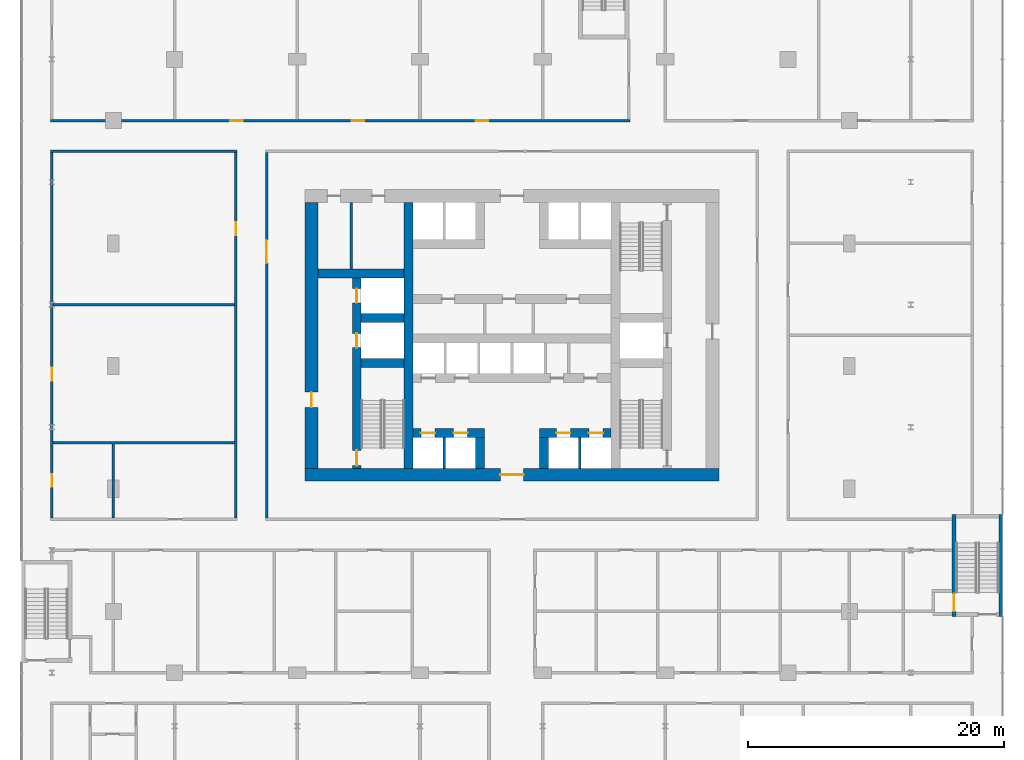
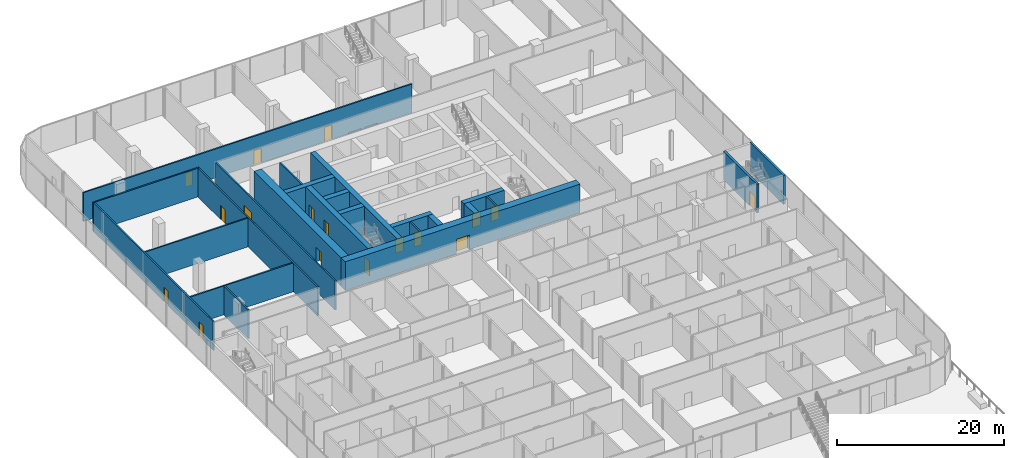
# One storey, part 35 of 45: 24 walls, 17 doors, 17 openings.
"""IFC4 building model written with IfcOpenShell, lengths in metres."""

from ifc_helpers import new_model, si_unit, direction, frame, frame_2d, origin, place, context, subcontext, project, spatial, rectangle, extrude, material, layer, layer_set, type_object, element, fill, save


model = new_model("IFC4")

# Units and contexts
model_context = context("Model", 3, precision=1e-05, world=origin(), true_north=direction((0.0, 1.0)))
body_context = subcontext(model_context, "Body", "Model", "MODEL_VIEW")
ifc_project = project(units=[si_unit("LENGTHUNIT", "METRE"), si_unit("AREAUNIT", "SQUARE_METRE"), si_unit("VOLUMEUNIT", "CUBIC_METRE"), si_unit("PLANEANGLEUNIT", "RADIAN"), si_unit("MASSUNIT", "GRAM", prefix="KILO")], contexts=[model_context])

# Site, building, storey
site_placement = place(None, origin())
site = spatial("IfcSite", under=ifc_project, at=site_placement, CompositionType="ELEMENT")
building_placement = place(site_placement, origin())
building = spatial("IfcBuilding", under=site, at=building_placement, Name="Madar Terraces", CompositionType="ELEMENT")
storey_placement = place(building_placement, frame((0.0, 0.0, 6.0)))
storey = spatial("IfcBuildingStorey", under=building, at=storey_placement, Name="L01", CompositionType="ELEMENT", Elevation=6.0)

# Wall, openings, doors
ifc_material_1 = material(Name="Concrete C80/95", Category="concrete")
ifc_layer_1 = layer(ifc_material_1, 0.699951171875)
ifc_layer_set_1 = layer_set([ifc_layer_1], Name="Concrete C80/95 (CIW1 RC wall 700)")
wall_type_1 = type_object("IfcWallType", Name="CIW1 RC wall 700", PredefinedType="SHEAR", material=ifc_layer_set_1)
wall_1_placement = place(storey_placement, frame((19.050048828125, 16.0, 0.0), z_axis=(0.0, 0.0, 1.0), x_axis=(0.0, 1.0, 0.0)))
wall_1 = element("IfcWall", 1, at=wall_1_placement, inside=storey, type_object=wall_type_1, Name="CORE SHAFT WALL", PredefinedType="SHEAR", context=body_context, shape_type="SweptSolid", body=[
    extrude(rectangle(XDim=14.89990234375, YDim=0.699951171875, at=frame_2d((7.449951171875, 0.0))), origin(), (0.0, 0.0, 1.0), 4.199951171875),
])
opening_1_placement = place(wall_1_placement, frame((9.449951171875, 0.0, 0.0)))
opening_1 = element("IfcOpeningElement", 2, at=opening_1_placement, cuts=wall_1, Name="Opening LD", PredefinedType="OPENING", context=body_context, shape_type="SweptSolid", body=[
    extrude(rectangle(XDim=1.10009765625, YDim=2.10009765625, at=frame_2d((0.550048828125, 1.050048828125))), frame((0.0, 0.35986328125, 0.0), z_axis=(0.0, -1.0, 0.0), x_axis=(1.0, 0.0, 0.0)), (0.0, 0.0, 1.0), 0.719970703125),
])
opening_2_placement = place(wall_1_placement, frame((12.949951171875, 0.0, 0.0)))
opening_2 = element("IfcOpeningElement", 3, at=opening_2_placement, cuts=wall_1, Name="Opening LD", PredefinedType="OPENING", context=body_context, shape_type="SweptSolid", body=[
    extrude(rectangle(XDim=1.10009765625, YDim=2.10009765625, at=frame_2d((0.550048828125, 1.050048828125))), frame((0.0, 0.35986328125, 0.0), z_axis=(0.0, -1.0, 0.0), x_axis=(1.0, 0.0, 0.0)), (0.0, 0.0, 1.0), 0.719970703125),
])
opening_3_placement = place(wall_1_placement, frame((0.199951171875, 0.0, 0.0)))
opening_3 = element("IfcOpeningElement", 4, at=opening_3_placement, cuts=wall_1, Name="Opening SD1", PredefinedType="OPENING", context=body_context, shape_type="SweptSolid", body=[
    extrude(rectangle(XDim=1.199951171875, YDim=2.10009765625, at=frame_2d((0.60009765625, 1.050048828125))), frame((0.0, 0.35986328125, 0.0), z_axis=(0.0, -1.0, 0.0), x_axis=(1.0, 0.0, 0.0)), (0.0, 0.0, 1.0), 0.719970703125),
])
ifc_material_2 = material(Name="Stainless steel panel", Category="steel")
door_type_1 = type_object("IfcDoorType", Name="Lift landing door 1100 x 2100", OperationType="DOUBLE_DOOR_SLIDING", PredefinedType="DOOR", material=ifc_material_2)
door_1_placement = place(opening_1_placement, origin())
door_1 = element("IfcDoor", 5, at=door_1_placement, inside=storey, type_object=door_type_1, Name="LIFT LANDING DOOR", OperationType="DOUBLE_DOOR_SLIDING", OverallHeight=2.10009765625, OverallWidth=1.10009765625, PredefinedType="DOOR", context=body_context, shape_type="SweptSolid", body=[
    extrude(rectangle(XDim=1.10009765625, YDim=2.10009765625, at=frame_2d((0.550048828125, 1.050048828125))), frame((0.0, 0.02490234375, 0.0), z_axis=(0.0, -1.0, 0.0), x_axis=(1.0, 0.0, 0.0)), (0.0, 0.0, 1.0), 0.050048828125),
])
fill(opening_1, door_1)
door_2_placement = place(opening_2_placement, origin())
door_2 = element("IfcDoor", 6, at=door_2_placement, inside=storey, type_object=door_type_1, Name="LIFT LANDING DOOR", OperationType="DOUBLE_DOOR_SLIDING", OverallHeight=2.10009765625, OverallWidth=1.10009765625, PredefinedType="DOOR", context=body_context, shape_type="SweptSolid", body=[
    extrude(rectangle(XDim=1.10009765625, YDim=2.10009765625, at=frame_2d((0.550048828125, 1.050048828125))), frame((0.0, 0.02490234375, 0.0), z_axis=(0.0, -1.0, 0.0), x_axis=(1.0, 0.0, 0.0)), (0.0, 0.0, 1.0), 0.050048828125),
])
fill(opening_2, door_2)
ifc_material_3 = material(Name="Steel door leaf", Category="steel")
door_type_2 = type_object("IfcDoorType", Name="Stair door 1200 x 2100", OperationType="NOTDEFINED", PredefinedType="DOOR", material=ifc_material_3)
door_3_placement = place(opening_3_placement, frame((1.199951171875, 0.0, 0.0), z_axis=(0.0, 0.0, 1.0), x_axis=(-1.0, 0.0, 0.0)))
door_3 = element("IfcDoor", 7, at=door_3_placement, inside=storey, type_object=door_type_2, Name="STAIR DOOR", OperationType="SINGLE_SWING_LEFT", OverallHeight=2.10009765625, OverallWidth=1.199951171875, PredefinedType="DOOR", context=body_context, shape_type="SweptSolid", body=[
    extrude(rectangle(XDim=1.199951171875, YDim=2.10009765625, at=frame_2d((0.60009765625, 1.050048828125))), frame((0.0, 0.02490234375, 0.0), z_axis=(0.0, -1.0, 0.0), x_axis=(1.0, 0.0, 0.0)), (0.0, 0.0, 1.0), 0.050048828125),
])
fill(opening_3, door_3)

# Walls
wall_2_placement = place(storey_placement, frame((23.10009765625, 16.0, 0.0), z_axis=(0.0, 0.0, 1.0), x_axis=(0.0, 1.0, 0.0)))
element("IfcWall", 8, at=wall_2_placement, inside=storey, type_object=wall_type_1, Name="CORE SHAFT WALL", PredefinedType="SHEAR", context=body_context, shape_type="SweptSolid", body=[
    extrude(rectangle(XDim=20.800048828125, YDim=0.699951171875, at=frame_2d((10.39990234375, 0.0))), origin(), (0.0, 0.0, 1.0), 4.199951171875),
])
for number, where, z_axis, x_axis, name in (
    (9, (19.39990234375, 24.25, 0.0), (0.0, 0.0, 1.0), (1.0, 0.0, 0.0), "CORE SHAFT WALL"),
    (10, (19.39990234375, 27.75, 0.0), (0.0, 0.0, 1.0), (1.0, 0.0, 0.0), "CORE SHAFT WALL"),
):
    element("IfcWall", number, at=place(storey_placement, frame(where, z_axis=z_axis, x_axis=x_axis)), inside=storey, type_object=wall_type_1, Name=name, PredefinedType="SHEAR", context=body_context, shape_type="SweptSolid", body=[
        extrude(rectangle(XDim=3.35009765625, YDim=0.699951171875, at=frame_2d((1.675048828125, 0.0))), origin(), (0.0, 0.0, 1.0), 4.199951171875),
    ])
wall_3_placement = place(storey_placement, frame((16.0, 31.25, 0.0), z_axis=(0.0, 0.0, 1.0), x_axis=(1.0, 0.0, 0.0)))
element("IfcWall", 11, at=wall_3_placement, inside=storey, type_object=wall_type_1, Name="CORE SHAFT WALL", PredefinedType="SHEAR", context=body_context, shape_type="SweptSolid", body=[
    extrude(rectangle(XDim=6.75, YDim=0.699951171875, at=frame_2d((3.375, 0.0))), origin(), (0.0, 0.0, 1.0), 4.199951171875),
])

# Wall, openings, doors
wall_4_placement = place(storey_placement, frame((23.449951171875, 18.75, 0.0), z_axis=(0.0, 0.0, 1.0), x_axis=(1.0, 0.0, 0.0)))
wall_4 = element("IfcWall", 12, at=wall_4_placement, inside=storey, type_object=wall_type_1, Name="CORE SHAFT WALL", PredefinedType="SHEAR", context=body_context, shape_type="SweptSolid", body=[
    extrude(rectangle(XDim=5.60009765625, YDim=0.699951171875, at=frame_2d((2.800048828125, 0.0))), origin(), (0.0, 0.0, 1.0), 4.199951171875),
])
opening_4_placement = place(wall_4_placement, frame((0.625, 0.0, 0.0)))
opening_4 = element("IfcOpeningElement", 13, at=opening_4_placement, cuts=wall_4, Name="Opening LD", PredefinedType="OPENING", context=body_context, shape_type="SweptSolid", body=[
    extrude(rectangle(XDim=1.10009765625, YDim=2.10009765625, at=frame_2d((0.550048828125, 1.050048828125))), frame((0.0, 0.35986328125, 0.0), z_axis=(0.0, -1.0, 0.0), x_axis=(1.0, 0.0, 0.0)), (0.0, 0.0, 1.0), 0.719970703125),
])
opening_5_placement = place(wall_4_placement, frame((3.175048828125, 0.0, 0.0)))
opening_5 = element("IfcOpeningElement", 14, at=opening_5_placement, cuts=wall_4, Name="Opening LD", PredefinedType="OPENING", context=body_context, shape_type="SweptSolid", body=[
    extrude(rectangle(XDim=1.10009765625, YDim=2.10009765625, at=frame_2d((0.550048828125, 1.050048828125))), frame((0.0, 0.35986328125, 0.0), z_axis=(0.0, -1.0, 0.0), x_axis=(1.0, 0.0, 0.0)), (0.0, 0.0, 1.0), 0.719970703125),
])
door_4_placement = place(opening_4_placement, origin())
door_4 = element("IfcDoor", 15, at=door_4_placement, inside=storey, type_object=door_type_1, Name="LIFT LANDING DOOR", OperationType="DOUBLE_DOOR_SLIDING", OverallHeight=2.10009765625, OverallWidth=1.10009765625, PredefinedType="DOOR", context=body_context, shape_type="SweptSolid", body=[
    extrude(rectangle(XDim=1.10009765625, YDim=2.10009765625, at=frame_2d((0.550048828125, 1.050048828125))), frame((0.0, 0.02490234375, 0.0), z_axis=(0.0, -1.0, 0.0), x_axis=(1.0, 0.0, 0.0)), (0.0, 0.0, 1.0), 0.050048828125),
])
fill(opening_4, door_4)
door_5_placement = place(opening_5_placement, origin())
door_5 = element("IfcDoor", 16, at=door_5_placement, inside=storey, type_object=door_type_1, Name="LIFT LANDING DOOR", OperationType="DOUBLE_DOOR_SLIDING", OverallHeight=2.10009765625, OverallWidth=1.10009765625, PredefinedType="DOOR", context=body_context, shape_type="SweptSolid", body=[
    extrude(rectangle(XDim=1.10009765625, YDim=2.10009765625, at=frame_2d((0.550048828125, 1.050048828125))), frame((0.0, 0.02490234375, 0.0), z_axis=(0.0, -1.0, 0.0), x_axis=(1.0, 0.0, 0.0)), (0.0, 0.0, 1.0), 0.050048828125),
])
fill(opening_5, door_5)

wall_5_placement = place(storey_placement, frame((33.35009765625, 18.75, 0.0), z_axis=(0.0, 0.0, 1.0), x_axis=(1.0, 0.0, 0.0)))
wall_5 = element("IfcWall", 17, at=wall_5_placement, inside=storey, type_object=wall_type_1, Name="CORE SHAFT WALL", PredefinedType="SHEAR", context=body_context, shape_type="SweptSolid", body=[
    extrude(rectangle(XDim=5.599853515625, YDim=0.699951171875, at=frame_2d((2.7998046875, 0.0))), origin(), (0.0, 0.0, 1.0), 4.199951171875),
])
opening_6_placement = place(wall_5_placement, frame((1.324951171875, 0.0, 0.0)))
opening_6 = element("IfcOpeningElement", 18, at=opening_6_placement, cuts=wall_5, Name="Opening LD", PredefinedType="OPENING", context=body_context, shape_type="SweptSolid", body=[
    extrude(rectangle(XDim=1.10009765625, YDim=2.10009765625, at=frame_2d((0.550048828125, 1.050048828125))), frame((0.0, 0.35986328125, 0.0), z_axis=(0.0, -1.0, 0.0), x_axis=(1.0, 0.0, 0.0)), (0.0, 0.0, 1.0), 0.719970703125),
])
opening_7_placement = place(wall_5_placement, frame((3.875, 0.0, 0.0)))
opening_7 = element("IfcOpeningElement", 19, at=opening_7_placement, cuts=wall_5, Name="Opening LD", PredefinedType="OPENING", context=body_context, shape_type="SweptSolid", body=[
    extrude(rectangle(XDim=1.10009765625, YDim=2.10009765625, at=frame_2d((0.550048828125, 1.050048828125))), frame((0.0, 0.35986328125, 0.0), z_axis=(0.0, -1.0, 0.0), x_axis=(1.0, 0.0, 0.0)), (0.0, 0.0, 1.0), 0.719970703125),
])
door_6_placement = place(opening_6_placement, origin())
door_6 = element("IfcDoor", 20, at=door_6_placement, inside=storey, type_object=door_type_1, Name="LIFT LANDING DOOR", OperationType="DOUBLE_DOOR_SLIDING", OverallHeight=2.10009765625, OverallWidth=1.10009765625, PredefinedType="DOOR", context=body_context, shape_type="SweptSolid", body=[
    extrude(rectangle(XDim=1.10009765625, YDim=2.10009765625, at=frame_2d((0.550048828125, 1.050048828125))), frame((0.0, 0.02490234375, 0.0), z_axis=(0.0, -1.0, 0.0), x_axis=(1.0, 0.0, 0.0)), (0.0, 0.0, 1.0), 0.050048828125),
])
fill(opening_6, door_6)
door_7_placement = place(opening_7_placement, origin())
door_7 = element("IfcDoor", 21, at=door_7_placement, inside=storey, type_object=door_type_1, Name="LIFT LANDING DOOR", OperationType="DOUBLE_DOOR_SLIDING", OverallHeight=2.10009765625, OverallWidth=1.10009765625, PredefinedType="DOOR", context=body_context, shape_type="SweptSolid", body=[
    extrude(rectangle(XDim=1.10009765625, YDim=2.10009765625, at=frame_2d((0.550048828125, 1.050048828125))), frame((0.0, 0.02490234375, 0.0), z_axis=(0.0, -1.0, 0.0), x_axis=(1.0, 0.0, 0.0)), (0.0, 0.0, 1.0), 0.050048828125),
])
fill(opening_7, door_7)

# Walls
for number, where, z_axis, x_axis, name in (
    (22, (28.699951171875, 16.0, 0.0), (0.0, 0.0, 1.0), (0.0, 1.0, 0.0), "CORE SHAFT WALL"),
    (23, (33.699951171875, 16.0, 0.0), (0.0, 0.0, 1.0), (0.0, 1.0, 0.0), "CORE SHAFT WALL"),
):
    element("IfcWall", number, at=place(storey_placement, frame(where, z_axis=z_axis, x_axis=x_axis)), inside=storey, type_object=wall_type_1, Name=name, PredefinedType="SHEAR", context=body_context, shape_type="SweptSolid", body=[
        extrude(rectangle(XDim=2.39990234375, YDim=0.699951171875, at=frame_2d((1.199951171875, 0.0))), origin(), (0.0, 0.0, 1.0), 4.199951171875),
    ])

# Wall, opening, door
ifc_material_4 = material(Name="Concrete C80/95", Category="concrete")
ifc_layer_2 = layer(ifc_material_4, 1.0)
ifc_layer_set_2 = layer_set([ifc_layer_2], Name="Concrete C80/95 (CRW1 RC wall 1000)")
wall_type_2 = type_object("IfcWallType", Name="CRW1 RC wall 1000", PredefinedType="SHEAR", material=ifc_layer_set_2)
wall_6_placement = place(storey_placement, frame((15.0, 15.5, 0.0), z_axis=(0.0, 0.0, 1.0), x_axis=(1.0, 0.0, 0.0)))
wall_6 = element("IfcWall", 24, at=wall_6_placement, inside=storey, type_object=wall_type_2, Name="CORE OUTER WALL", PredefinedType="SHEAR", context=body_context, shape_type="SweptSolid", body=[
    extrude(rectangle(XDim=32.39990234375, YDim=1.0, at=frame_2d((16.199951171875, 0.0))), origin(), (0.0, 0.0, 1.0), 4.199951171875),
])
opening_8_placement = place(wall_6_placement, frame((15.300048828125, 0.0, 0.0)))
opening_8 = element("IfcOpeningElement", 25, at=opening_8_placement, cuts=wall_6, Name="Opening KD1", PredefinedType="OPENING", context=body_context, shape_type="SweptSolid", body=[
    extrude(rectangle(XDim=1.800048828125, YDim=2.10009765625, at=frame_2d((0.89990234375, 1.050048828125))), frame((0.0, 0.510009765625, 0.0), z_axis=(0.0, -1.0, 0.0), x_axis=(1.0, 0.0, 0.0)), (0.0, 0.0, 1.0), 1.02001953125),
])
ifc_material_5 = material(Name="Steel door leaf", Category="steel")
door_type_3 = type_object("IfcDoorType", Name="Lobby door pair 1800 x 2100", OperationType="DOUBLE_DOOR_SINGLE_SWING", PredefinedType="DOOR", material=ifc_material_5)
door_8_placement = place(opening_8_placement, frame((1.800048828125, 0.0, 0.0), z_axis=(0.0, 0.0, 1.0), x_axis=(-1.0, 0.0, 0.0)))
door_8 = element("IfcDoor", 26, at=door_8_placement, inside=storey, type_object=door_type_3, Name="LIFT LOBBY DOOR", OperationType="DOUBLE_DOOR_SINGLE_SWING", OverallHeight=2.10009765625, OverallWidth=1.800048828125, PredefinedType="DOOR", context=body_context, shape_type="SweptSolid", body=[
    extrude(rectangle(XDim=1.800048828125, YDim=2.10009765625, at=frame_2d((0.89990234375, 1.050048828125))), frame((0.0, 0.02490234375, 0.0), z_axis=(0.0, -1.0, 0.0), x_axis=(1.0, 0.0, 0.0)), (0.0, 0.0, 1.0), 0.050048828125),
])
fill(opening_8, door_8)

wall_7_placement = place(storey_placement, frame((15.5, 16.0, 0.0), z_axis=(0.0, 0.0, 1.0), x_axis=(0.0, 1.0, 0.0)))
wall_7 = element("IfcWall", 27, at=wall_7_placement, inside=storey, type_object=wall_type_2, Name="CORE OUTER WALL", PredefinedType="SHEAR", context=body_context, shape_type="SweptSolid", body=[
    extrude(rectangle(XDim=20.800048828125, YDim=1.0, at=frame_2d((10.39990234375, 0.0))), origin(), (0.0, 0.0, 1.0), 4.199951171875),
])
opening_9_placement = place(wall_7_placement, frame((4.760009765625, 0.0, 0.0)))
opening_9 = element("IfcOpeningElement", 28, at=opening_9_placement, cuts=wall_7, Name="Opening SD1", PredefinedType="OPENING", context=body_context, shape_type="SweptSolid", body=[
    extrude(rectangle(XDim=1.199951171875, YDim=2.10009765625, at=frame_2d((0.60009765625, 1.050048828125))), frame((0.0, 0.510009765625, 0.0), z_axis=(0.0, -1.0, 0.0), x_axis=(1.0, 0.0, 0.0)), (0.0, 0.0, 1.0), 1.02001953125),
])
door_9_placement = place(opening_9_placement, frame((1.199951171875, 0.0, 0.0), z_axis=(0.0, 0.0, 1.0), x_axis=(-1.0, 0.0, 0.0)))
door_9 = element("IfcDoor", 29, at=door_9_placement, inside=storey, type_object=door_type_2, Name="STAIR DOOR", OperationType="SINGLE_SWING_RIGHT", OverallHeight=2.10009765625, OverallWidth=1.199951171875, PredefinedType="DOOR", context=body_context, shape_type="SweptSolid", body=[
    extrude(rectangle(XDim=1.199951171875, YDim=2.10009765625, at=frame_2d((0.60009765625, 1.050048828125))), frame((0.0, 0.02490234375, 0.0), z_axis=(0.0, -1.0, 0.0), x_axis=(1.0, 0.0, 0.0)), (0.0, 0.0, 1.0), 0.050048828125),
])
fill(opening_9, door_9)

# Walls
ifc_material_6 = material(Name="Masonry blockwork", Category="masonry")
ifc_layer_3 = layer(ifc_material_6, 0.199951171875)
ifc_layer_set_3 = layer_set([ifc_layer_3], Name="Core partition 200 blockwork")
wall_type_3 = type_object("IfcWallType", Name="Core partition 200 blockwork", PredefinedType="PARTITIONING", material=ifc_layer_set_3)
wall_8_placement = place(storey_placement, frame((18.632568359375, 31.60009765625, 0.0), z_axis=(0.0, 0.0, 1.0), x_axis=(0.0, 1.0, 0.0)))
element("IfcWall", 30, at=wall_8_placement, inside=storey, type_object=wall_type_3, Name="SERVICE ROOM PARTITION", PredefinedType="PARTITIONING", context=body_context, shape_type="SweptSolid", body=[
    extrude(rectangle(XDim=5.199951171875, YDim=0.199951171875, at=frame_2d((2.60009765625, 0.0))), origin(), (0.0, 0.0, 1.0), 4.199951171875),
])
ifc_material_7 = material(Name="Concrete C40/50", Category="concrete")
ifc_layer_4 = layer(ifc_material_7, 0.199951171875)
ifc_layer_set_4 = layer_set([ifc_layer_4], Name="Core shaft dividing wall 200 C40/50")
wall_type_4 = type_object("IfcWallType", Name="Core shaft dividing wall 200 C40/50", PredefinedType="SOLIDWALL", material=ifc_layer_set_4)
for number, where, z_axis, x_axis, name in (
    (31, (25.89990234375, 16.0, 0.0), (0.0, 0.0, 1.0), (0.0, 1.0, 0.0), "SHAFT DIVIDING WALL"),
    (32, (36.5, 16.0, 0.0), (0.0, 0.0, 1.0), (0.0, 1.0, 0.0), "SHAFT DIVIDING WALL"),
):
    element("IfcWall", number, at=place(storey_placement, frame(where, z_axis=z_axis, x_axis=x_axis)), inside=storey, type_object=wall_type_4, Name=name, PredefinedType="SOLIDWALL", context=body_context, shape_type="SweptSolid", body=[
        extrude(rectangle(XDim=2.39990234375, YDim=0.199951171875, at=frame_2d((1.199951171875, 0.0))), origin(), (0.0, 0.0, 1.0), 4.199951171875),
    ])
ifc_material_8 = material(Name="Gypsum board partition, fire-rated")
ifc_layer_5 = layer(ifc_material_8, 0.199951171875)
ifc_layer_set_5 = layer_set([ifc_layer_5], Name="Partition 200 EI 60")
wall_type_5 = type_object("IfcWallType", Name="Partition 200 EI 60", PredefinedType="PARTITIONING", material=ifc_layer_set_5)
for number, where, z_axis, x_axis, name in (
    (33, (-4.699951171875, 18.0, 0.0), (0.0, 0.0, 1.0), (1.0, 0.0, 0.0), "Wall ADMINISTRATION OFFICE + MEETING ROOM"),
    (34, (-4.699951171875, 28.800048828125, 0.0), (0.0, 0.0, 1.0), (1.0, 0.0, 0.0), "Wall RECORDS STORE / OFFICE"),
):
    element("IfcWall", number, at=place(storey_placement, frame(where, z_axis=z_axis, x_axis=x_axis)), inside=storey, type_object=wall_type_5, Name=name, PredefinedType="PARTITIONING", context=body_context, shape_type="SweptSolid", body=[
        extrude(rectangle(XDim=14.199951171875, YDim=0.199951171875, at=frame_2d((7.10009765625, 0.0))), origin(), (0.0, 0.0, 1.0), 4.199951171875),
    ])
wall_9_placement = place(storey_placement, frame((-4.89990234375, 40.800048828125, 0.0), z_axis=(0.0, 0.0, 1.0), x_axis=(1.0, 0.0, 0.0)))
element("IfcWall", 35, at=wall_9_placement, inside=storey, type_object=wall_type_5, Name="Wall OFFICE / PODIUM CORRIDOR", PredefinedType="PARTITIONING", context=body_context, shape_type="SweptSolid", body=[
    extrude(rectangle(XDim=14.599853515625, YDim=0.199951171875, at=frame_2d((7.2998046875, 0.0))), origin(), (0.0, 0.0, 1.0), 4.199951171875),
])

# Wall, openings, doors
wall_10_placement = place(storey_placement, frame((-4.89990234375, 43.199951171875, 0.0), z_axis=(0.0, 0.0, 1.0), x_axis=(1.0, 0.0, 0.0)))
wall_10 = element("IfcWall", 36, at=wall_10_placement, inside=storey, type_object=wall_type_5, Name="Wall MANAGERS OFFICE + OFFICE", PredefinedType="PARTITIONING", context=body_context, shape_type="SweptSolid", body=[
    extrude(rectangle(XDim=45.349853515625, YDim=0.199951171875, at=frame_2d((22.6748046875, 0.0))), origin(), (0.0, 0.0, 1.0), 4.199951171875),
])
opening_10_placement = place(wall_10_placement, frame((14.050048828125, 0.0, 0.0)))
opening_10 = element("IfcOpeningElement", 37, at=opening_10_placement, cuts=wall_10, Name="Opening D31", PredefinedType="OPENING", context=body_context, shape_type="SweptSolid", body=[
    extrude(rectangle(XDim=1.0, YDim=2.10009765625, at=frame_2d((0.5, 1.050048828125))), frame((0.0, 0.10986328125, 0.0), z_axis=(0.0, -1.0, 0.0), x_axis=(1.0, 0.0, 0.0)), (0.0, 0.0, 1.0), 0.219970703125),
])
opening_11_placement = place(wall_10_placement, frame((23.550048828125, 0.0, 0.0)))
opening_11 = element("IfcOpeningElement", 38, at=opening_11_placement, cuts=wall_10, Name="Opening D31", PredefinedType="OPENING", context=body_context, shape_type="SweptSolid", body=[
    extrude(rectangle(XDim=1.0, YDim=2.10009765625, at=frame_2d((0.5, 1.050048828125))), frame((0.0, 0.10986328125, 0.0), z_axis=(0.0, -1.0, 0.0), x_axis=(1.0, 0.0, 0.0)), (0.0, 0.0, 1.0), 0.219970703125),
])
opening_12_placement = place(wall_10_placement, frame((33.25, 0.0, 0.0)))
opening_12 = element("IfcOpeningElement", 39, at=opening_12_placement, cuts=wall_10, Name="Opening D31", PredefinedType="OPENING", context=body_context, shape_type="SweptSolid", body=[
    extrude(rectangle(XDim=1.0, YDim=2.10009765625, at=frame_2d((0.5, 1.050048828125))), frame((0.0, 0.10986328125, 0.0), z_axis=(0.0, -1.0, 0.0), x_axis=(1.0, 0.0, 0.0)), (0.0, 0.0, 1.0), 0.219970703125),
])
ifc_material_9 = material(Name="Timber door leaf, fire-rated", Category="wood")
door_type_4 = type_object("IfcDoorType", Name="Podium door 1000 x 2100 FD30S", OperationType="NOTDEFINED", PredefinedType="DOOR", material=ifc_material_9)
door_10_placement = place(opening_10_placement, origin())
door_10 = element("IfcDoor", 40, at=door_10_placement, inside=storey, type_object=door_type_4, Name="Door OFFICE / PODIUM CORRIDOR", OperationType="SINGLE_SWING_RIGHT", OverallHeight=2.10009765625, OverallWidth=1.0, PredefinedType="DOOR", context=body_context, shape_type="SweptSolid", body=[
    extrude(rectangle(XDim=1.0, YDim=2.10009765625, at=frame_2d((0.5, 1.050048828125))), frame((0.0, 0.02490234375, 0.0), z_axis=(0.0, -1.0, 0.0), x_axis=(1.0, 0.0, 0.0)), (0.0, 0.0, 1.0), 0.050048828125),
])
fill(opening_10, door_10)
door_11_placement = place(opening_11_placement, origin())
door_11 = element("IfcDoor", 41, at=door_11_placement, inside=storey, type_object=door_type_4, Name="Door MANAGERS OFFICE / PODIUM CORRIDOR", OperationType="SINGLE_SWING_LEFT", OverallHeight=2.10009765625, OverallWidth=1.0, PredefinedType="DOOR", context=body_context, shape_type="SweptSolid", body=[
    extrude(rectangle(XDim=1.0, YDim=2.10009765625, at=frame_2d((0.5, 1.050048828125))), frame((0.0, 0.02490234375, 0.0), z_axis=(0.0, -1.0, 0.0), x_axis=(1.0, 0.0, 0.0)), (0.0, 0.0, 1.0), 0.050048828125),
])
fill(opening_11, door_11)
door_12_placement = place(opening_12_placement, origin())
door_12 = element("IfcDoor", 42, at=door_12_placement, inside=storey, type_object=door_type_4, Name="Door STAFF ROOM / PODIUM CORRIDOR", OperationType="SINGLE_SWING_RIGHT", OverallHeight=2.10009765625, OverallWidth=1.0, PredefinedType="DOOR", context=body_context, shape_type="SweptSolid", body=[
    extrude(rectangle(XDim=1.0, YDim=2.10009765625, at=frame_2d((0.5, 1.050048828125))), frame((0.0, 0.02490234375, 0.0), z_axis=(0.0, -1.0, 0.0), x_axis=(1.0, 0.0, 0.0)), (0.0, 0.0, 1.0), 0.050048828125),
])
fill(opening_12, door_12)

wall_11_placement = place(storey_placement, frame((-4.800048828125, 40.699951171875, 0.0), z_axis=(0.0, 0.0, 1.0), x_axis=(0.0, -1.0, 0.0)))
wall_11 = element("IfcWall", 43, at=wall_11_placement, inside=storey, type_object=wall_type_5, Name="Wall MEETING ROOM + OFFICE", PredefinedType="PARTITIONING", context=body_context, shape_type="SweptSolid", body=[
    extrude(rectangle(XDim=28.599853515625, YDim=0.199951171875, at=frame_2d((14.2998046875, 0.0))), origin(), (0.0, 0.0, 1.0), 4.199951171875),
])
opening_13_placement = place(wall_11_placement, frame((25.14990234375, 0.0, 0.0)))
opening_13 = element("IfcOpeningElement", 44, at=opening_13_placement, cuts=wall_11, Name="Opening D31", PredefinedType="OPENING", context=body_context, shape_type="SweptSolid", body=[
    extrude(rectangle(XDim=1.0, YDim=2.10009765625, at=frame_2d((0.5, 1.050048828125))), frame((0.0, 0.10986328125, 0.0), z_axis=(0.0, -1.0, 0.0), x_axis=(1.0, 0.0, 0.0)), (0.0, 0.0, 1.0), 0.219970703125),
])
opening_14_placement = place(wall_11_placement, frame((16.85009765625, 0.0, 0.0)))
opening_14 = element("IfcOpeningElement", 45, at=opening_14_placement, cuts=wall_11, Name="Opening D31", PredefinedType="OPENING", context=body_context, shape_type="SweptSolid", body=[
    extrude(rectangle(XDim=1.0, YDim=2.10009765625, at=frame_2d((0.5, 1.050048828125))), frame((0.0, 0.10986328125, 0.0), z_axis=(0.0, -1.0, 0.0), x_axis=(1.0, 0.0, 0.0)), (0.0, 0.0, 1.0), 0.219970703125),
])
door_13_placement = place(opening_13_placement, origin())
door_13 = element("IfcDoor", 46, at=door_13_placement, inside=storey, type_object=door_type_4, Name="Door MEETING ROOM / PODIUM CORRIDOR", OperationType="SINGLE_SWING_LEFT", OverallHeight=2.10009765625, OverallWidth=1.0, PredefinedType="DOOR", context=body_context, shape_type="SweptSolid", body=[
    extrude(rectangle(XDim=1.0, YDim=2.10009765625, at=frame_2d((0.5, 1.050048828125))), frame((0.0, 0.02490234375, 0.0), z_axis=(0.0, -1.0, 0.0), x_axis=(1.0, 0.0, 0.0)), (0.0, 0.0, 1.0), 0.050048828125),
])
fill(opening_13, door_13)
door_14_placement = place(opening_14_placement, origin())
door_14 = element("IfcDoor", 47, at=door_14_placement, inside=storey, type_object=door_type_4, Name="Door RECORDS STORE / PODIUM CORRIDOR", OperationType="SINGLE_SWING_RIGHT", OverallHeight=2.10009765625, OverallWidth=1.0, PredefinedType="DOOR", context=body_context, shape_type="SweptSolid", body=[
    extrude(rectangle(XDim=1.0, YDim=2.10009765625, at=frame_2d((0.5, 1.050048828125))), frame((0.0, 0.02490234375, 0.0), z_axis=(0.0, -1.0, 0.0), x_axis=(1.0, 0.0, 0.0)), (0.0, 0.0, 1.0), 0.050048828125),
])
fill(opening_14, door_14)

# Wall
wall_12_placement = place(storey_placement, frame((0.0, 12.10009765625, 0.0), z_axis=(0.0, 0.0, 1.0), x_axis=(0.0, 1.0, 0.0)))
element("IfcWall", 48, at=wall_12_placement, inside=storey, type_object=wall_type_5, Name="Wall ADMINISTRATION OFFICE / MEETING ROOM", PredefinedType="PARTITIONING", context=body_context, shape_type="SweptSolid", body=[
    extrude(rectangle(XDim=5.7998046875, YDim=0.199951171875, at=frame_2d((2.89990234375, 0.0))), origin(), (0.0, 0.0, 1.0), 4.199951171875),
])

# Wall, opening, door
wall_13_placement = place(storey_placement, frame((9.60009765625, 12.10009765625, 0.0), z_axis=(0.0, 0.0, 1.0), x_axis=(0.0, 1.0, 0.0)))
wall_13 = element("IfcWall", 49, at=wall_13_placement, inside=storey, type_object=wall_type_5, Name="Wall ADMINISTRATION OFFICE + OFFICE", PredefinedType="PARTITIONING", context=body_context, shape_type="SweptSolid", body=[
    extrude(rectangle(XDim=28.599853515625, YDim=0.199951171875, at=frame_2d((14.2998046875, 0.0))), origin(), (0.0, 0.0, 1.0), 4.199951171875),
])
opening_15_placement = place(wall_13_placement, frame((22.14990234375, 0.0, 0.0)))
opening_15 = element("IfcOpeningElement", 50, at=opening_15_placement, cuts=wall_13, Name="Opening D31", PredefinedType="OPENING", context=body_context, shape_type="SweptSolid", body=[
    extrude(rectangle(XDim=1.0, YDim=2.10009765625, at=frame_2d((0.5, 1.050048828125))), frame((0.0, 0.10986328125, 0.0), z_axis=(0.0, -1.0, 0.0), x_axis=(1.0, 0.0, 0.0)), (0.0, 0.0, 1.0), 0.219970703125),
])
door_15_placement = place(opening_15_placement, origin())
door_15 = element("IfcDoor", 51, at=door_15_placement, inside=storey, type_object=door_type_4, Name="Door OFFICE / PODIUM CORRIDOR", OperationType="SINGLE_SWING_RIGHT", OverallHeight=2.10009765625, OverallWidth=1.0, PredefinedType="DOOR", context=body_context, shape_type="SweptSolid", body=[
    extrude(rectangle(XDim=1.0, YDim=2.10009765625, at=frame_2d((0.5, 1.050048828125))), frame((0.0, 0.02490234375, 0.0), z_axis=(0.0, -1.0, 0.0), x_axis=(1.0, 0.0, 0.0)), (0.0, 0.0, 1.0), 0.050048828125),
])
fill(opening_15, door_15)

wall_14_placement = place(storey_placement, frame((12.0, 40.699951171875, 0.0), z_axis=(0.0, 0.0, 1.0), x_axis=(0.0, -1.0, 0.0)))
wall_14 = element("IfcWall", 52, at=wall_14_placement, inside=storey, type_object=wall_type_5, Name="Wall PODIUM CORRIDOR / RING CORRIDOR", PredefinedType="PARTITIONING", context=body_context, shape_type="SweptSolid", body=[
    extrude(rectangle(XDim=28.599853515625, YDim=0.199951171875, at=frame_2d((14.2998046875, 0.0))), origin(), (0.0, 0.0, 1.0), 4.199951171875),
])
opening_16_placement = place(wall_14_placement, frame((6.85009765625, 0.0, 0.0)))
opening_16 = element("IfcOpeningElement", 53, at=opening_16_placement, cuts=wall_14, Name="Opening D30", PredefinedType="OPENING", context=body_context, shape_type="SweptSolid", body=[
    extrude(rectangle(XDim=1.800048828125, YDim=2.10009765625, at=frame_2d((0.89990234375, 1.050048828125))), frame((0.0, 0.10986328125, 0.0), z_axis=(0.0, -1.0, 0.0), x_axis=(1.0, 0.0, 0.0)), (0.0, 0.0, 1.0), 0.219970703125),
])
ifc_material_10 = material(Name="Timber door leaf, fire-rated", Category="wood")
door_type_5 = type_object("IfcDoorType", Name="Podium double door 1800 x 2100 FD30S", OperationType="DOUBLE_DOOR_SINGLE_SWING", PredefinedType="DOOR", material=ifc_material_10)
door_16_placement = place(opening_16_placement, origin())
door_16 = element("IfcDoor", 54, at=door_16_placement, inside=storey, type_object=door_type_5, Name="Door PODIUM CORRIDOR / RING CORRIDOR", OperationType="DOUBLE_DOOR_SINGLE_SWING", OverallHeight=2.10009765625, OverallWidth=1.800048828125, PredefinedType="DOOR", context=body_context, shape_type="SweptSolid", body=[
    extrude(rectangle(XDim=1.800048828125, YDim=2.10009765625, at=frame_2d((0.89990234375, 1.050048828125))), frame((0.0, 0.02490234375, 0.0), z_axis=(0.0, -1.0, 0.0), x_axis=(1.0, 0.0, 0.0)), (0.0, 0.0, 1.0), 0.050048828125),
])
fill(opening_16, door_16)

ifc_material_11 = material(Name="Concrete C40/50", Category="concrete")
ifc_layer_6 = layer(ifc_material_11, 0.300048828125)
ifc_layer_set_6 = layer_set([ifc_layer_6], Name="Podium stair wall 300 C40/50")
wall_type_6 = type_object("IfcWallType", Name="Podium stair wall 300 C40/50", PredefinedType="SOLIDWALL", material=ifc_layer_set_6)
wall_15_placement = place(storey_placement, frame((65.800048828125, 4.39990234375, 0.0), z_axis=(0.0, 0.0, 1.0), x_axis=(0.0, 1.0, 0.0)))
wall_15 = element("IfcWall", 55, at=wall_15_placement, inside=storey, type_object=wall_type_6, Name="PODIUM STAIR WALL", PredefinedType="SOLIDWALL", context=body_context, shape_type="SweptSolid", body=[
    extrude(rectangle(XDim=8.0, YDim=0.300048828125, at=frame_2d((4.0, 0.0))), origin(), (0.0, 0.0, 1.0), 4.199951171875),
])
opening_17_placement = place(wall_15_placement, frame((0.39990234375, 0.0, 0.0)))
opening_17 = element("IfcOpeningElement", 56, at=opening_17_placement, cuts=wall_15, Name="Opening PSD1", PredefinedType="OPENING", context=body_context, shape_type="SweptSolid", body=[
    extrude(rectangle(XDim=1.39990234375, YDim=2.10009765625, at=frame_2d((0.699951171875, 1.050048828125))), frame((0.0, 0.159912109375, 0.0), z_axis=(0.0, -1.0, 0.0), x_axis=(1.0, 0.0, 0.0)), (0.0, 0.0, 1.0), 0.320068359375),
])
ifc_material_12 = material(Name="Steel door leaf", Category="steel")
door_type_6 = type_object("IfcDoorType", Name="Podium stair door pair 1400 x 2100", OperationType="DOUBLE_DOOR_SINGLE_SWING", PredefinedType="DOOR", material=ifc_material_12)
door_17_placement = place(opening_17_placement, frame((1.39990234375, 0.0, 0.0), z_axis=(0.0, 0.0, 1.0), x_axis=(-1.0, 0.0, 0.0)))
door_17 = element("IfcDoor", 57, at=door_17_placement, inside=storey, type_object=door_type_6, Name="STAIR DOOR", OperationType="DOUBLE_DOOR_SINGLE_SWING", OverallHeight=2.10009765625, OverallWidth=1.39990234375, PredefinedType="DOOR", context=body_context, shape_type="SweptSolid", body=[
    extrude(rectangle(XDim=1.39990234375, YDim=2.10009765625, at=frame_2d((0.699951171875, 1.050048828125))), frame((0.0, 0.02490234375, 0.0), z_axis=(0.0, -1.0, 0.0), x_axis=(1.0, 0.0, 0.0)), (0.0, 0.0, 1.0), 0.050048828125),
])
fill(opening_17, door_17)

# Wall
ifc_material_13 = material(Name="Concrete C40/50", Category="concrete")
ifc_layer_7 = layer(ifc_material_13, 0.300048828125)
ifc_layer_set_7 = layer_set([ifc_layer_7], Name="Podium stair wall 300 C40/50, external")
wall_type_7 = type_object("IfcWallType", Name="Podium stair wall 300 C40/50, external", PredefinedType="SOLIDWALL", material=ifc_layer_set_7)
wall_16_placement = place(storey_placement, frame((69.449951171875, 4.39990234375, 0.0), z_axis=(0.0, 0.0, 1.0), x_axis=(0.0, 1.0, 0.0)))
element("IfcWall", 58, at=wall_16_placement, inside=storey, type_object=wall_type_7, Name="PODIUM STAIR WALL", PredefinedType="SOLIDWALL", context=body_context, shape_type="SweptSolid", body=[
    extrude(rectangle(XDim=8.0, YDim=0.300048828125, at=frame_2d((4.0, 0.0))), origin(), (0.0, 0.0, 1.0), 4.199951171875),
])

save(model, "model.ifc")
